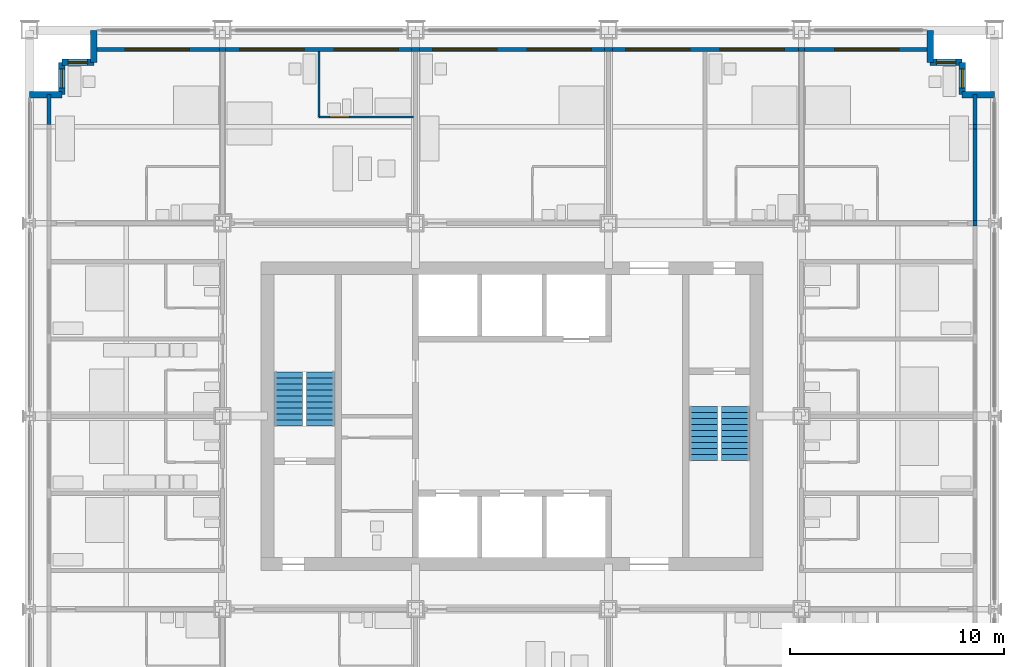
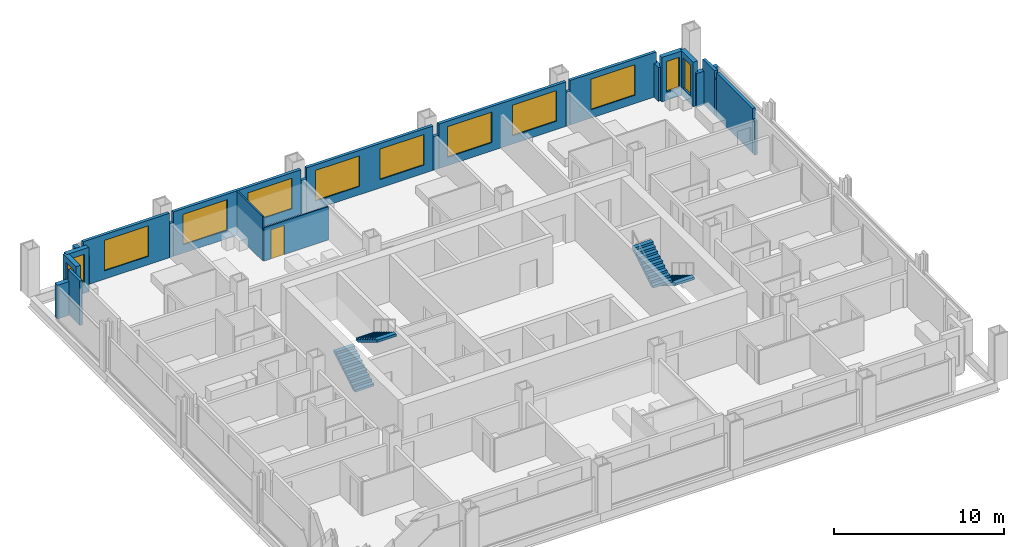
# One storey, part 13 of 16: 24 walls, 12 windows, 4 stair flights, 1 door, 13 openings, 2 elements without a shape of their own.
"""IFC4 building model written with IfcOpenShell, lengths in metres."""

from ifc_helpers import new_model, si_unit, direction, frame, frame_2d, origin, place, context, subcontext, project, spatial, polyline, rectangle, outline, extrude, material, layer, layer_set, type_object, element, fill, aggregate, save


model = new_model("IFC4")

# Units and contexts
model_context = context("Model", 3, precision=1e-05, world=origin(), true_north=direction((0.0, 1.0)))
body_context = subcontext(model_context, "Body", "Model", "MODEL_VIEW")
ifc_project = project(units=[si_unit("LENGTHUNIT", "METRE"), si_unit("AREAUNIT", "SQUARE_METRE"), si_unit("VOLUMEUNIT", "CUBIC_METRE"), si_unit("PLANEANGLEUNIT", "RADIAN"), si_unit("MASSUNIT", "GRAM", prefix="KILO")], contexts=[model_context])

# Site, building, storey
site_placement = place(None, origin())
site = spatial("IfcSite", under=ifc_project, at=site_placement, CompositionType="ELEMENT")
building_placement = place(site_placement, origin())
building = spatial("IfcBuilding", under=site, at=building_placement, Name="Loomwork Tower", CompositionType="ELEMENT")
storey_placement = place(building_placement, frame((0.0, 0.0, 111.199951171875)))
storey = spatial("IfcBuildingStorey", under=building, at=storey_placement, Name="L29", CompositionType="ELEMENT", Elevation=111.199951171875)

# Wall, opening, door
ifc_material_1 = material(Name="Cement board on steel studs", Category="steel")
ifc_layer_1 = layer(ifc_material_1, 0.10009765625)
ifc_layer_set_1 = layer_set([ifc_layer_1], Name="En-suite partition 100")
wall_type_1 = type_object("IfcWallType", Name="En-suite partition 100", PredefinedType="PARTITIONING", material=ifc_layer_set_1)
wall_1_placement = place(storey_placement, frame((13.5, 31.949951171875, 0.0), z_axis=(0.0, 0.0, 1.0), x_axis=(1.0, 0.0, 0.0)))
wall_1 = element("IfcWall", 1, at=wall_1_placement, inside=storey, type_object=wall_type_1, Name="Spa bathroom wall L29 room 7", PredefinedType="PARTITIONING", context=body_context, shape_type="SweptSolid", body=[
    extrude(rectangle(XDim=4.39990234375, YDim=0.10009765625, at=frame_2d((2.199951171875, 0.0))), origin(), (0.0, 0.0, 1.0), 2.404052734375),
])
opening_1_placement = place(wall_1_placement, frame((0.5, 0.0, 0.0)))
opening_1 = element("IfcOpeningElement", 2, at=opening_1_placement, cuts=wall_1, Name="Opening D2", PredefinedType="OPENING", context=body_context, shape_type="SweptSolid", body=[
    extrude(rectangle(XDim=0.89990234375, YDim=2.10009765625, at=frame_2d((0.449951171875, 1.050048828125))), frame((0.0, 0.06005859375, 0.0), z_axis=(0.0, -1.0, 0.0), x_axis=(1.0, 0.0, 0.0)), (0.0, 0.0, 1.0), 0.1201171875),
])
ifc_material_2 = material(Name="Hollow metal door and frame")
door_type = type_object("IfcDoorType", Name="En-suite door 900", OperationType="SINGLE_SWING_LEFT", PredefinedType="DOOR", material=ifc_material_2)
door_placement = place(opening_1_placement, origin())
door = element("IfcDoor", 3, at=door_placement, inside=storey, type_object=door_type, Name="Spa bathroom door room 7", OperationType="SINGLE_SWING_LEFT", OverallHeight=2.10009765625, OverallWidth=0.89990234375, PredefinedType="DOOR", context=body_context, shape_type="SweptSolid", body=[
    extrude(rectangle(XDim=0.89990234375, YDim=2.10009765625, at=frame_2d((0.449951171875, 1.050048828125))), frame((0.0, 0.02490234375, 0.0), z_axis=(0.0, -1.0, 0.0), x_axis=(1.0, 0.0, 0.0)), (0.0, 0.0, 1.0), 0.050048828125),
])
fill(opening_1, door)

# Wall
wall_2_placement = place(storey_placement, frame((13.5, 31.949951171875, 0.0), z_axis=(0.0, 0.0, 1.0), x_axis=(0.0, 1.0, 0.0)))
element("IfcWall", 4, at=wall_2_placement, inside=storey, type_object=wall_type_1, Name="Spa bathroom side wall L29 room 7", PredefinedType="PARTITIONING", context=body_context, shape_type="SweptSolid", body=[
    extrude(rectangle(XDim=3.050048828125, YDim=0.10009765625, at=frame_2d((1.52490234375, 0.0))), origin(), (0.0, 0.0, 1.0), 3.199951171875),
])

# Wall, opening, window
ifc_material_3 = material(Name="Insulated steel stud wall with gypsum lining", Category="steel")
ifc_layer_2 = layer(ifc_material_3, 0.199951171875)
ifc_layer_set_2 = layer_set([ifc_layer_2], Name="Inner skin wall 200")
wall_type_2 = type_object("IfcWallType", Name="Inner skin wall 200", PredefinedType="SOLIDWALL", material=ifc_layer_set_2)
wall_3_placement = place(storey_placement, frame((3.0, 35.10009765625, 0.0), z_axis=(0.0, 0.0, 1.0), x_axis=(1.0, 0.0, 0.0)))
wall_3 = element("IfcWall", 5, at=wall_3_placement, inside=storey, type_object=wall_type_2, Name="Inner skin wall N", PredefinedType="SOLIDWALL", context=body_context, shape_type="SweptSolid", body=[
    extrude(rectangle(XDim=5.86474609375, YDim=0.199951171875, at=frame_2d((2.932373046875, 0.0))), origin(), (0.0, 0.0, 1.0), 3.199951171875),
])
opening_2_placement = place(wall_3_placement, frame((1.449951171875, 0.0, 0.60009765625)))
opening_2 = element("IfcOpeningElement", 6, at=opening_2_placement, cuts=wall_3, Name="Opening CH1", PredefinedType="OPENING", context=body_context, shape_type="SweptSolid", body=[
    extrude(rectangle(XDim=3.0, YDim=2.199951171875, at=frame_2d((1.5, 1.10009765625))), frame((0.0, 0.10986328125, 0.0), z_axis=(0.0, -1.0, 0.0), x_axis=(1.0, 0.0, 0.0)), (0.0, 0.0, 1.0), 0.219970703125),
])
ifc_material_4 = material(Name="Aluminium frame with clear insulated glass", Category="aluminium")
window_type_1 = type_object("IfcWindowType", Name="Chicago window 3000", PartitioningType="TRIPLE_PANEL_VERTICAL", PredefinedType="WINDOW", material=ifc_material_4)
window_1_placement = place(opening_2_placement, origin())
window_1 = element("IfcWindow", 7, at=window_1_placement, inside=storey, type_object=window_type_1, Name="Chicago window L29 bay 6", OverallHeight=2.199951171875, OverallWidth=3.0, PartitioningType="TRIPLE_PANEL_VERTICAL", PredefinedType="WINDOW", context=body_context, shape_type="SweptSolid", body=[
    extrude(rectangle(XDim=3.0, YDim=2.199951171875, at=frame_2d((1.5, 1.10009765625))), frame((0.0, 0.030029296875, 0.0), z_axis=(0.0, -1.0, 0.0), x_axis=(1.0, 0.0, 0.0)), (0.0, 0.0, 1.0), 0.06005859375),
])
fill(opening_2, window_1)

# Walls
wall_4_placement = place(storey_placement, frame((0.89990234375, 31.607421875, 0.0), z_axis=(0.0, 0.0, 1.0), x_axis=(0.0, 1.0, 0.0)))
element("IfcWall", 8, at=wall_4_placement, inside=storey, type_object=wall_type_2, Name="Inner skin wall W bay 11", PredefinedType="SOLIDWALL", context=body_context, shape_type="SweptSolid", body=[
    extrude(rectangle(XDim=1.392578125, YDim=0.199951171875, at=frame_2d((0.6962890625, 0.0))), origin(), (0.0, 0.0, 1.0), 3.199951171875),
])
wall_5_placement = place(storey_placement, frame((8.86474609375, 35.10009765625, 0.0), z_axis=(0.0, 0.0, 1.0), x_axis=(1.0, 0.0, 0.0)))
element("IfcWall", 9, at=wall_5_placement, inside=storey, type_object=wall_type_2, Name="Inner skin wall N bay 2", PredefinedType="SOLIDWALL", context=body_context, shape_type="SweptSolid", body=[
    extrude(rectangle(XDim=0.2705078125, YDim=0.199951171875, at=frame_2d((0.13525390625, 0.0))), origin(), (0.0, 0.0, 1.0), 2.43798828125),
])

# Wall, openings, windows
wall_6_placement = place(storey_placement, frame((9.13525390625, 35.10009765625, 0.0), z_axis=(0.0, 0.0, 1.0), x_axis=(1.0, 0.0, 0.0)))
wall_6 = element("IfcWall", 10, at=wall_6_placement, inside=storey, type_object=wall_type_2, Name="Inner skin wall N bay 3", PredefinedType="SOLIDWALL", context=body_context, shape_type="SweptSolid", body=[
    extrude(rectangle(XDim=8.6708984375, YDim=0.199951171875, at=frame_2d((4.33544921875, 0.0))), origin(), (0.0, 0.0, 1.0), 3.199951171875),
])
opening_3_placement = place(wall_6_placement, frame((0.664794921875, 0.0, 0.60009765625)))
opening_3 = element("IfcOpeningElement", 11, at=opening_3_placement, cuts=wall_6, Name="Opening CH1", PredefinedType="OPENING", context=body_context, shape_type="SweptSolid", body=[
    extrude(rectangle(XDim=3.0, YDim=2.199951171875, at=frame_2d((1.5, 1.10009765625))), frame((0.0, 0.10986328125, 0.0), z_axis=(0.0, -1.0, 0.0), x_axis=(1.0, 0.0, 0.0)), (0.0, 0.0, 1.0), 0.219970703125),
])
opening_4_placement = place(wall_6_placement, frame((5.064697265625, 0.0, 0.60009765625)))
opening_4 = element("IfcOpeningElement", 12, at=opening_4_placement, cuts=wall_6, Name="Opening CH1", PredefinedType="OPENING", context=body_context, shape_type="SweptSolid", body=[
    extrude(rectangle(XDim=3.0, YDim=2.199951171875, at=frame_2d((1.5, 1.10009765625))), frame((0.0, 0.10986328125, 0.0), z_axis=(0.0, -1.0, 0.0), x_axis=(1.0, 0.0, 0.0)), (0.0, 0.0, 1.0), 0.219970703125),
])
window_2_placement = place(opening_3_placement, origin())
window_2 = element("IfcWindow", 13, at=window_2_placement, inside=storey, type_object=window_type_1, Name="Chicago window L29 bay 7", OverallHeight=2.199951171875, OverallWidth=3.0, PartitioningType="TRIPLE_PANEL_VERTICAL", PredefinedType="WINDOW", context=body_context, shape_type="SweptSolid", body=[
    extrude(rectangle(XDim=3.0, YDim=2.199951171875, at=frame_2d((1.5, 1.10009765625))), frame((0.0, 0.030029296875, 0.0), z_axis=(0.0, -1.0, 0.0), x_axis=(1.0, 0.0, 0.0)), (0.0, 0.0, 1.0), 0.06005859375),
])
fill(opening_3, window_2)
window_3_placement = place(opening_4_placement, origin())
window_3 = element("IfcWindow", 14, at=window_3_placement, inside=storey, type_object=window_type_1, Name="Chicago window L29 bay 7", OverallHeight=2.199951171875, OverallWidth=3.0, PartitioningType="TRIPLE_PANEL_VERTICAL", PredefinedType="WINDOW", context=body_context, shape_type="SweptSolid", body=[
    extrude(rectangle(XDim=3.0, YDim=2.199951171875, at=frame_2d((1.5, 1.10009765625))), frame((0.0, 0.030029296875, 0.0), z_axis=(0.0, -1.0, 0.0), x_axis=(1.0, 0.0, 0.0)), (0.0, 0.0, 1.0), 0.06005859375),
])
fill(opening_4, window_3)

# Wall
wall_7_placement = place(storey_placement, frame((17.80615234375, 35.10009765625, 0.0), z_axis=(0.0, 0.0, 1.0), x_axis=(1.0, 0.0, 0.0)))
element("IfcWall", 15, at=wall_7_placement, inside=storey, type_object=wall_type_2, Name="Inner skin wall N bay 4", PredefinedType="SOLIDWALL", context=body_context, shape_type="SweptSolid", body=[
    extrude(rectangle(XDim=0.3876953125, YDim=0.199951171875, at=frame_2d((0.19384765625, 0.0))), origin(), (0.0, 0.0, 1.0), 2.404052734375),
])

# Wall, openings, windows
wall_8_placement = place(storey_placement, frame((18.19384765625, 35.10009765625, 0.0), z_axis=(0.0, 0.0, 1.0), x_axis=(1.0, 0.0, 0.0)))
wall_8 = element("IfcWall", 16, at=wall_8_placement, inside=storey, type_object=wall_type_2, Name="Inner skin wall N bay 5", PredefinedType="SOLIDWALL", context=body_context, shape_type="SweptSolid", body=[
    extrude(rectangle(XDim=8.6123046875, YDim=0.199951171875, at=frame_2d((4.30615234375, 0.0))), origin(), (0.0, 0.0, 1.0), 3.199951171875),
])
opening_5_placement = place(wall_8_placement, frame((0.606201171875, 0.0, 0.60009765625)))
opening_5 = element("IfcOpeningElement", 17, at=opening_5_placement, cuts=wall_8, Name="Opening CH1", PredefinedType="OPENING", context=body_context, shape_type="SweptSolid", body=[
    extrude(rectangle(XDim=3.0, YDim=2.199951171875, at=frame_2d((1.5, 1.10009765625))), frame((0.0, 0.10986328125, 0.0), z_axis=(0.0, -1.0, 0.0), x_axis=(1.0, 0.0, 0.0)), (0.0, 0.0, 1.0), 0.219970703125),
])
opening_6_placement = place(wall_8_placement, frame((5.006103515625, 0.0, 0.60009765625)))
opening_6 = element("IfcOpeningElement", 18, at=opening_6_placement, cuts=wall_8, Name="Opening CH1", PredefinedType="OPENING", context=body_context, shape_type="SweptSolid", body=[
    extrude(rectangle(XDim=3.0, YDim=2.199951171875, at=frame_2d((1.5, 1.10009765625))), frame((0.0, 0.10986328125, 0.0), z_axis=(0.0, -1.0, 0.0), x_axis=(1.0, 0.0, 0.0)), (0.0, 0.0, 1.0), 0.219970703125),
])
window_4_placement = place(opening_5_placement, origin())
window_4 = element("IfcWindow", 19, at=window_4_placement, inside=storey, type_object=window_type_1, Name="Chicago window L29 bay 8", OverallHeight=2.199951171875, OverallWidth=3.0, PartitioningType="TRIPLE_PANEL_VERTICAL", PredefinedType="WINDOW", context=body_context, shape_type="SweptSolid", body=[
    extrude(rectangle(XDim=3.0, YDim=2.199951171875, at=frame_2d((1.5, 1.10009765625))), frame((0.0, 0.030029296875, 0.0), z_axis=(0.0, -1.0, 0.0), x_axis=(1.0, 0.0, 0.0)), (0.0, 0.0, 1.0), 0.06005859375),
])
fill(opening_5, window_4)
window_5_placement = place(opening_6_placement, origin())
window_5 = element("IfcWindow", 20, at=window_5_placement, inside=storey, type_object=window_type_1, Name="Chicago window L29 bay 8", OverallHeight=2.199951171875, OverallWidth=3.0, PartitioningType="TRIPLE_PANEL_VERTICAL", PredefinedType="WINDOW", context=body_context, shape_type="SweptSolid", body=[
    extrude(rectangle(XDim=3.0, YDim=2.199951171875, at=frame_2d((1.5, 1.10009765625))), frame((0.0, 0.030029296875, 0.0), z_axis=(0.0, -1.0, 0.0), x_axis=(1.0, 0.0, 0.0)), (0.0, 0.0, 1.0), 0.06005859375),
])
fill(opening_6, window_5)

# Wall
wall_9_placement = place(storey_placement, frame((26.80615234375, 35.10009765625, 0.0), z_axis=(0.0, 0.0, 1.0), x_axis=(1.0, 0.0, 0.0)))
element("IfcWall", 21, at=wall_9_placement, inside=storey, type_object=wall_type_2, Name="Inner skin wall N bay 6", PredefinedType="SOLIDWALL", context=body_context, shape_type="SweptSolid", body=[
    extrude(rectangle(XDim=0.3876953125, YDim=0.199951171875, at=frame_2d((0.19384765625, 0.0))), origin(), (0.0, 0.0, 1.0), 2.404052734375),
])

# Wall, openings, windows
wall_10_placement = place(storey_placement, frame((27.19384765625, 35.10009765625, 0.0), z_axis=(0.0, 0.0, 1.0), x_axis=(1.0, 0.0, 0.0)))
wall_10 = element("IfcWall", 22, at=wall_10_placement, inside=storey, type_object=wall_type_2, Name="Inner skin wall N bay 7", PredefinedType="SOLIDWALL", context=body_context, shape_type="SweptSolid", body=[
    extrude(rectangle(XDim=8.670654296875, YDim=0.199951171875, at=frame_2d((4.33544921875, 0.0))), origin(), (0.0, 0.0, 1.0), 3.199951171875),
])
opening_7_placement = place(wall_10_placement, frame((0.606201171875, 0.0, 0.60009765625)))
opening_7 = element("IfcOpeningElement", 23, at=opening_7_placement, cuts=wall_10, Name="Opening CH1", PredefinedType="OPENING", context=body_context, shape_type="SweptSolid", body=[
    extrude(rectangle(XDim=3.0, YDim=2.199951171875, at=frame_2d((1.5, 1.10009765625))), frame((0.0, 0.10986328125, 0.0), z_axis=(0.0, -1.0, 0.0), x_axis=(1.0, 0.0, 0.0)), (0.0, 0.0, 1.0), 0.219970703125),
])
opening_8_placement = place(wall_10_placement, frame((5.006103515625, 0.0, 0.60009765625)))
opening_8 = element("IfcOpeningElement", 24, at=opening_8_placement, cuts=wall_10, Name="Opening CH1", PredefinedType="OPENING", context=body_context, shape_type="SweptSolid", body=[
    extrude(rectangle(XDim=3.0, YDim=2.199951171875, at=frame_2d((1.5, 1.10009765625))), frame((0.0, 0.10986328125, 0.0), z_axis=(0.0, -1.0, 0.0), x_axis=(1.0, 0.0, 0.0)), (0.0, 0.0, 1.0), 0.219970703125),
])
window_6_placement = place(opening_7_placement, origin())
window_6 = element("IfcWindow", 25, at=window_6_placement, inside=storey, type_object=window_type_1, Name="Chicago window L29 bay 9", OverallHeight=2.199951171875, OverallWidth=3.0, PartitioningType="TRIPLE_PANEL_VERTICAL", PredefinedType="WINDOW", context=body_context, shape_type="SweptSolid", body=[
    extrude(rectangle(XDim=3.0, YDim=2.199951171875, at=frame_2d((1.5, 1.10009765625))), frame((0.0, 0.030029296875, 0.0), z_axis=(0.0, -1.0, 0.0), x_axis=(1.0, 0.0, 0.0)), (0.0, 0.0, 1.0), 0.06005859375),
])
fill(opening_7, window_6)
window_7_placement = place(opening_8_placement, origin())
window_7 = element("IfcWindow", 26, at=window_7_placement, inside=storey, type_object=window_type_1, Name="Chicago window L29 bay 9", OverallHeight=2.199951171875, OverallWidth=3.0, PartitioningType="TRIPLE_PANEL_VERTICAL", PredefinedType="WINDOW", context=body_context, shape_type="SweptSolid", body=[
    extrude(rectangle(XDim=3.0, YDim=2.199951171875, at=frame_2d((1.5, 1.10009765625))), frame((0.0, 0.030029296875, 0.0), z_axis=(0.0, -1.0, 0.0), x_axis=(1.0, 0.0, 0.0)), (0.0, 0.0, 1.0), 0.06005859375),
])
fill(opening_8, window_7)

# Wall
wall_11_placement = place(storey_placement, frame((35.864501953125, 35.10009765625, 0.0), z_axis=(0.0, 0.0, 1.0), x_axis=(1.0, 0.0, 0.0)))
element("IfcWall", 27, at=wall_11_placement, inside=storey, type_object=wall_type_2, Name="Inner skin wall N bay 8", PredefinedType="SOLIDWALL", context=body_context, shape_type="SweptSolid", body=[
    extrude(rectangle(XDim=0.27099609375, YDim=0.199951171875, at=frame_2d((0.135498046875, 0.0))), origin(), (0.0, 0.0, 1.0), 2.43798828125),
])

# Wall, opening, window
wall_12_placement = place(storey_placement, frame((36.135498046875, 35.10009765625, 0.0), z_axis=(0.0, 0.0, 1.0), x_axis=(1.0, 0.0, 0.0)))
wall_12 = element("IfcWall", 28, at=wall_12_placement, inside=storey, type_object=wall_type_2, Name="Inner skin wall N bay 9", PredefinedType="SOLIDWALL", context=body_context, shape_type="SweptSolid", body=[
    extrude(rectangle(XDim=5.864501953125, YDim=0.199951171875, at=frame_2d((2.93212890625, 0.0))), origin(), (0.0, 0.0, 1.0), 3.199951171875),
])
opening_9_placement = place(wall_12_placement, frame((1.41455078125, 0.0, 0.60009765625)))
opening_9 = element("IfcOpeningElement", 29, at=opening_9_placement, cuts=wall_12, Name="Opening CH1", PredefinedType="OPENING", context=body_context, shape_type="SweptSolid", body=[
    extrude(rectangle(XDim=3.0, YDim=2.199951171875, at=frame_2d((1.5, 1.10009765625))), frame((0.0, 0.10986328125, 0.0), z_axis=(0.0, -1.0, 0.0), x_axis=(1.0, 0.0, 0.0)), (0.0, 0.0, 1.0), 0.219970703125),
])
window_8_placement = place(opening_9_placement, origin())
window_8 = element("IfcWindow", 30, at=window_8_placement, inside=storey, type_object=window_type_1, Name="Chicago window L29 bay 10", OverallHeight=2.199951171875, OverallWidth=3.0, PartitioningType="TRIPLE_PANEL_VERTICAL", PredefinedType="WINDOW", context=body_context, shape_type="SweptSolid", body=[
    extrude(rectangle(XDim=3.0, YDim=2.199951171875, at=frame_2d((1.5, 1.10009765625))), frame((0.0, 0.030029296875, 0.0), z_axis=(0.0, -1.0, 0.0), x_axis=(1.0, 0.0, 0.0)), (0.0, 0.0, 1.0), 0.06005859375),
])
fill(opening_9, window_8)

# Walls
wall_13_placement = place(storey_placement, frame((44.10009765625, 26.86474609375, 0.0), z_axis=(0.0, 0.0, 1.0), x_axis=(0.0, 1.0, 0.0)))
element("IfcWall", 31, at=wall_13_placement, inside=storey, type_object=wall_type_2, Name="Inner skin wall E bay 8", PredefinedType="SOLIDWALL", context=body_context, shape_type="SweptSolid", body=[
    extrude(rectangle(XDim=0.2705078125, YDim=0.199951171875, at=frame_2d((0.13525390625, 0.0))), origin(), (0.0, 0.0, 1.0), 2.43798828125),
])
wall_14_placement = place(storey_placement, frame((44.10009765625, 27.13525390625, 0.0), z_axis=(0.0, 0.0, 1.0), x_axis=(0.0, 1.0, 0.0)))
element("IfcWall", 32, at=wall_14_placement, inside=storey, type_object=wall_type_2, Name="Inner skin wall E bay 9", PredefinedType="SOLIDWALL", context=body_context, shape_type="SweptSolid", body=[
    extrude(rectangle(XDim=4.25732421875, YDim=0.199951171875, at=frame_2d((2.128662109375, 0.0))), origin(), (0.0, 0.0, 1.0), 3.199951171875),
])
wall_15_placement = place(storey_placement, frame((44.10009765625, 31.392578125, 0.0), z_axis=(0.0, 0.0, 1.0), x_axis=(0.0, 1.0, 0.0)))
element("IfcWall", 33, at=wall_15_placement, inside=storey, type_object=wall_type_2, Name="Inner skin wall E bay 10", PredefinedType="SOLIDWALL", context=body_context, shape_type="SweptSolid", body=[
    extrude(rectangle(XDim=0.21484375, YDim=0.199951171875, at=frame_2d((0.107421875, 0.0))), origin(), (0.0, 0.0, 1.0), 2.6611328125),
])
wall_16_placement = place(storey_placement, frame((44.10009765625, 31.607421875, 0.0), z_axis=(0.0, 0.0, 1.0), x_axis=(0.0, 1.0, 0.0)))
element("IfcWall", 34, at=wall_16_placement, inside=storey, type_object=wall_type_2, Name="Inner skin wall E bay 11", PredefinedType="SOLIDWALL", context=body_context, shape_type="SweptSolid", body=[
    extrude(rectangle(XDim=1.392578125, YDim=0.199951171875, at=frame_2d((0.6962890625, 0.0))), origin(), (0.0, 0.0, 1.0), 3.199951171875),
])
ifc_material_5 = material(Name="Limestone on concrete masonry", Category="masonry")
ifc_layer_3 = layer(ifc_material_5, 0.300048828125)
ifc_layer_set_3 = layer_set([ifc_layer_3], Name="Limestone corner wall 300")
wall_type_3 = type_object("IfcWallType", Name="Limestone corner wall 300", PredefinedType="SOLIDWALL", material=ifc_layer_set_3)
wall_17_placement = place(storey_placement, frame((45.0, 33.0, 0.0), z_axis=(0.0, 0.0, 1.0), x_axis=(-1.0, 0.0, 0.0)))
element("IfcWall", 35, at=wall_17_placement, inside=storey, type_object=wall_type_3, Name="Stone corner wall NE 1", PredefinedType="SOLIDWALL", context=body_context, shape_type="SweptSolid", body=[
    extrude(rectangle(XDim=1.5, YDim=0.300048828125, at=frame_2d((0.75, 0.0))), origin(), (0.0, 0.0, 1.0), 2.420166015625),
])

# Wall, opening, window
wall_18_placement = place(storey_placement, frame((43.5, 33.0, 0.0), z_axis=(0.0, 0.0, 1.0), x_axis=(0.0, 1.0, 0.0)))
wall_18 = element("IfcWall", 36, at=wall_18_placement, inside=storey, type_object=wall_type_3, Name="Stone corner wall NE 2", PredefinedType="SOLIDWALL", context=body_context, shape_type="SweptSolid", body=[
    extrude(rectangle(XDim=1.5, YDim=0.300048828125, at=frame_2d((0.75, 0.0))), origin(), (0.0, 0.0, 1.0), 3.199951171875),
])
opening_10_placement = place(wall_18_placement, frame((0.300048828125, 0.0, 0.60009765625)))
opening_10 = element("IfcOpeningElement", 37, at=opening_10_placement, cuts=wall_18, Name="Opening CH2", PredefinedType="OPENING", context=body_context, shape_type="SweptSolid", body=[
    extrude(rectangle(XDim=0.89990234375, YDim=2.199951171875, at=frame_2d((0.449951171875, 1.10009765625))), frame((0.0, 0.159912109375, 0.0), z_axis=(0.0, -1.0, 0.0), x_axis=(1.0, 0.0, 0.0)), (0.0, 0.0, 1.0), 0.320068359375),
])
ifc_material_6 = material(Name="Aluminium frame with clear insulated glass", Category="aluminium")
window_type_2 = type_object("IfcWindowType", Name="Corner window 900", PartitioningType="SINGLE_PANEL", PredefinedType="WINDOW", material=ifc_material_6)
window_9_placement = place(opening_10_placement, origin())
window_9 = element("IfcWindow", 38, at=window_9_placement, inside=storey, type_object=window_type_2, Name="Corner window NE", OverallHeight=2.199951171875, OverallWidth=0.89990234375, PartitioningType="SINGLE_PANEL", PredefinedType="WINDOW", context=body_context, shape_type="SweptSolid", body=[
    extrude(rectangle(XDim=0.89990234375, YDim=2.199951171875, at=frame_2d((0.449951171875, 1.10009765625))), frame((0.0, 0.030029296875, 0.0), z_axis=(0.0, -1.0, 0.0), x_axis=(1.0, 0.0, 0.0)), (0.0, 0.0, 1.0), 0.06005859375),
])
fill(opening_10, window_9)

wall_19_placement = place(storey_placement, frame((43.5, 34.5, 0.0), z_axis=(0.0, 0.0, 1.0), x_axis=(-1.0, 0.0, 0.0)))
wall_19 = element("IfcWall", 39, at=wall_19_placement, inside=storey, type_object=wall_type_3, Name="Stone corner wall NE 3", PredefinedType="SOLIDWALL", context=body_context, shape_type="SweptSolid", body=[
    extrude(rectangle(XDim=1.5, YDim=0.300048828125, at=frame_2d((0.75, 0.0))), origin(), (0.0, 0.0, 1.0), 3.199951171875),
])
opening_11_placement = place(wall_19_placement, frame((0.300048828125, 0.0, 0.60009765625)))
opening_11 = element("IfcOpeningElement", 40, at=opening_11_placement, cuts=wall_19, Name="Opening CH2", PredefinedType="OPENING", context=body_context, shape_type="SweptSolid", body=[
    extrude(rectangle(XDim=0.89990234375, YDim=2.199951171875, at=frame_2d((0.449951171875, 1.10009765625))), frame((0.0, 0.159912109375, 0.0), z_axis=(0.0, -1.0, 0.0), x_axis=(1.0, 0.0, 0.0)), (0.0, 0.0, 1.0), 0.320068359375),
])
window_10_placement = place(opening_11_placement, origin())
window_10 = element("IfcWindow", 41, at=window_10_placement, inside=storey, type_object=window_type_2, Name="Corner window NE", OverallHeight=2.199951171875, OverallWidth=0.89990234375, PartitioningType="SINGLE_PANEL", PredefinedType="WINDOW", context=body_context, shape_type="SweptSolid", body=[
    extrude(rectangle(XDim=0.89990234375, YDim=2.199951171875, at=frame_2d((0.449951171875, 1.10009765625))), frame((0.0, 0.030029296875, 0.0), z_axis=(0.0, -1.0, 0.0), x_axis=(1.0, 0.0, 0.0)), (0.0, 0.0, 1.0), 0.06005859375),
])
fill(opening_11, window_10)

# Walls
for number, where, z_axis, x_axis, name in (
    (42, (42.0, 34.5, 0.0), (0.0, 0.0, 1.0), (0.0, 1.0, 0.0), "Stone corner wall NE 4"),
    (43, (3.0, 36.0, 0.0), (0.0, 0.0, 1.0), (0.0, -1.0, 0.0), "Stone corner wall NW 1"),
):
    element("IfcWall", number, at=place(storey_placement, frame(where, z_axis=z_axis, x_axis=x_axis)), inside=storey, type_object=wall_type_3, Name=name, PredefinedType="SOLIDWALL", context=body_context, shape_type="SweptSolid", body=[
        extrude(rectangle(XDim=1.5, YDim=0.300048828125, at=frame_2d((0.75, 0.0))), origin(), (0.0, 0.0, 1.0), 2.420166015625),
    ])

# Wall, opening, window
wall_20_placement = place(storey_placement, frame((3.0, 34.5, 0.0), z_axis=(0.0, 0.0, 1.0), x_axis=(-1.0, 0.0, 0.0)))
wall_20 = element("IfcWall", 44, at=wall_20_placement, inside=storey, type_object=wall_type_3, Name="Stone corner wall NW 2", PredefinedType="SOLIDWALL", context=body_context, shape_type="SweptSolid", body=[
    extrude(rectangle(XDim=1.5, YDim=0.300048828125, at=frame_2d((0.75, 0.0))), origin(), (0.0, 0.0, 1.0), 3.199951171875),
])
opening_12_placement = place(wall_20_placement, frame((0.300048828125, 0.0, 0.60009765625)))
opening_12 = element("IfcOpeningElement", 45, at=opening_12_placement, cuts=wall_20, Name="Opening CH2", PredefinedType="OPENING", context=body_context, shape_type="SweptSolid", body=[
    extrude(rectangle(XDim=0.89990234375, YDim=2.199951171875, at=frame_2d((0.449951171875, 1.10009765625))), frame((0.0, 0.159912109375, 0.0), z_axis=(0.0, -1.0, 0.0), x_axis=(1.0, 0.0, 0.0)), (0.0, 0.0, 1.0), 0.320068359375),
])
window_11_placement = place(opening_12_placement, origin())
window_11 = element("IfcWindow", 46, at=window_11_placement, inside=storey, type_object=window_type_2, Name="Corner window NW", OverallHeight=2.199951171875, OverallWidth=0.89990234375, PartitioningType="SINGLE_PANEL", PredefinedType="WINDOW", context=body_context, shape_type="SweptSolid", body=[
    extrude(rectangle(XDim=0.89990234375, YDim=2.199951171875, at=frame_2d((0.449951171875, 1.10009765625))), frame((0.0, 0.030029296875, 0.0), z_axis=(0.0, -1.0, 0.0), x_axis=(1.0, 0.0, 0.0)), (0.0, 0.0, 1.0), 0.06005859375),
])
fill(opening_12, window_11)

wall_21_placement = place(storey_placement, frame((1.5, 34.5, 0.0), z_axis=(0.0, 0.0, 1.0), x_axis=(0.0, -1.0, 0.0)))
wall_21 = element("IfcWall", 47, at=wall_21_placement, inside=storey, type_object=wall_type_3, Name="Stone corner wall NW 3", PredefinedType="SOLIDWALL", context=body_context, shape_type="SweptSolid", body=[
    extrude(rectangle(XDim=1.5, YDim=0.300048828125, at=frame_2d((0.75, 0.0))), origin(), (0.0, 0.0, 1.0), 3.199951171875),
])
opening_13_placement = place(wall_21_placement, frame((0.300048828125, 0.0, 0.60009765625)))
opening_13 = element("IfcOpeningElement", 48, at=opening_13_placement, cuts=wall_21, Name="Opening CH2", PredefinedType="OPENING", context=body_context, shape_type="SweptSolid", body=[
    extrude(rectangle(XDim=0.89990234375, YDim=2.199951171875, at=frame_2d((0.449951171875, 1.10009765625))), frame((0.0, 0.159912109375, 0.0), z_axis=(0.0, -1.0, 0.0), x_axis=(1.0, 0.0, 0.0)), (0.0, 0.0, 1.0), 0.320068359375),
])
window_12_placement = place(opening_13_placement, origin())
window_12 = element("IfcWindow", 49, at=window_12_placement, inside=storey, type_object=window_type_2, Name="Corner window NW", OverallHeight=2.199951171875, OverallWidth=0.89990234375, PartitioningType="SINGLE_PANEL", PredefinedType="WINDOW", context=body_context, shape_type="SweptSolid", body=[
    extrude(rectangle(XDim=0.89990234375, YDim=2.199951171875, at=frame_2d((0.449951171875, 1.10009765625))), frame((0.0, 0.030029296875, 0.0), z_axis=(0.0, -1.0, 0.0), x_axis=(1.0, 0.0, 0.0)), (0.0, 0.0, 1.0), 0.06005859375),
])
fill(opening_13, window_12)

# Wall
wall_22_placement = place(storey_placement, frame((1.5, 33.0, 0.0), z_axis=(0.0, 0.0, 1.0), x_axis=(-1.0, 0.0, 0.0)))
element("IfcWall", 50, at=wall_22_placement, inside=storey, type_object=wall_type_3, Name="Stone corner wall NW 4", PredefinedType="SOLIDWALL", context=body_context, shape_type="SweptSolid", body=[
    extrude(rectangle(XDim=1.5, YDim=0.300048828125, at=frame_2d((0.75, 0.0))), origin(), (0.0, 0.0, 1.0), 2.420166015625),
])

# Stair, stair flights
ifc_material_7 = material(Name="Concrete 5000 psi (34 MPa) precast stair", Category="concrete")
stair_type_1 = type_object("IfcStairType", Name="Stair ST-A 20 risers 2850 wide", PredefinedType="HALF_TURN_STAIR", material=ifc_material_7)
stair_1_placement = place(storey_placement, origin())
stair_1 = element("IfcStair", 51, at=stair_1_placement, inside=storey, type_object=stair_type_1, Name="Stair A L29", PredefinedType="HALF_TURN_STAIR")
ifc_material_8 = material(Name="Concrete 5000 psi (34 MPa) precast stair", Category="concrete")
stair_flight_type_1 = type_object("IfcStairFlightType", Name="Stair flight ST-A 10 risers 1300 wide", PredefinedType="STRAIGHT", material=ifc_material_8)
stair_flight_1_placement = place(storey_placement, frame((12.074951171875, 17.550048828125, 0.0), z_axis=(0.0, 0.0, 1.0), x_axis=(0.0, 1.0, 0.0)))
stair_flight_1 = element("IfcStairFlight", 52, at=stair_flight_1_placement, type_object=stair_flight_type_1, Name="ST-A flight 1", NumberOfRisers=10, NumberOfTreads=9, PredefinedType="STRAIGHT", RiserHeight=0.17, TreadLength=0.28, context=body_context, shape_type="SweptSolid", body=[
    extrude(outline(polyline([(0.0, 0.0), (0.0, 0.169921875), (0.280029296875, 0.169921875), (0.280029296875, 0.340087890625), (0.56005859375, 0.340087890625), (0.56005859375, 0.510009765625), (0.840087890625, 0.510009765625), (0.840087890625, 0.679931640625), (1.1201171875, 0.679931640625), (1.1201171875, 0.85009765625), (1.39990234375, 0.85009765625), (1.39990234375, 1.02001953125), (1.679931640625, 1.02001953125), (1.679931640625, 1.18994140625), (1.9599609375, 1.18994140625), (1.9599609375, 1.360107421875), (2.239990234375, 1.360107421875), (2.239990234375, 1.530029296875), (2.52001953125, 1.530029296875), (2.52001953125, 1.699951171875), (2.52001953125, 1.354736328125), (0.288818359375, 0.0), (0.0, 0.0)])), frame((0.0, 0.64990234375, 0.0), z_axis=(0.0, -1.0, 0.0), x_axis=(1.0, 0.0, 0.0)), (0.0, 0.0, 1.0), 1.300048828125),
])
stair_flight_2_placement = place(storey_placement, frame((13.574951171875, 20.070068359375, 1.699951171875), z_axis=(0.0, 0.0, 1.0), x_axis=(0.0, -1.0, 0.0)))
stair_flight_2 = element("IfcStairFlight", 53, at=stair_flight_2_placement, type_object=stair_flight_type_1, Name="ST-A flight 2", NumberOfRisers=10, NumberOfTreads=9, PredefinedType="STRAIGHT", RiserHeight=0.17, TreadLength=0.28, context=body_context, shape_type="SweptSolid", body=[
    extrude(outline(polyline([(0.0, 0.0), (0.0, 0.169921875), (0.280029296875, 0.169921875), (0.280029296875, 0.340087890625), (0.56005859375, 0.340087890625), (0.56005859375, 0.510009765625), (0.840087890625, 0.510009765625), (0.840087890625, 0.679931640625), (1.1201171875, 0.679931640625), (1.1201171875, 0.85009765625), (1.39990234375, 0.85009765625), (1.39990234375, 1.02001953125), (1.679931640625, 1.02001953125), (1.679931640625, 1.18994140625), (1.9599609375, 1.18994140625), (1.9599609375, 1.360107421875), (2.239990234375, 1.360107421875), (2.239990234375, 1.530029296875), (2.52001953125, 1.530029296875), (2.52001953125, 1.699951171875), (2.52001953125, 1.354736328125), (0.288818359375, 0.0), (0.0, 0.0)])), frame((0.0, 0.64990234375, 0.0), z_axis=(0.0, -1.0, 0.0), x_axis=(1.0, 0.0, 0.0)), (0.0, 0.0, 1.0), 1.300048828125),
])
aggregate(stair_1, [stair_flight_1, stair_flight_2])

ifc_material_9 = material(Name="Concrete 5000 psi (34 MPa) precast stair", Category="concrete")
stair_type_2 = type_object("IfcStairType", Name="Stair ST-B 20 risers 2850 wide", PredefinedType="HALF_TURN_STAIR", material=ifc_material_9)
stair_2_placement = place(storey_placement, origin())
stair_2 = element("IfcStair", 54, at=stair_2_placement, inside=storey, type_object=stair_type_2, Name="Stair B L29", PredefinedType="HALF_TURN_STAIR")
ifc_material_10 = material(Name="Concrete 5000 psi (34 MPa) precast stair", Category="concrete")
stair_flight_type_2 = type_object("IfcStairFlightType", Name="Stair flight ST-B 10 risers 1300 wide", PredefinedType="STRAIGHT", material=ifc_material_10)
stair_flight_3_placement = place(storey_placement, frame((32.925048828125, 18.449951171875, 0.0), z_axis=(0.0, 0.0, 1.0), x_axis=(0.0, -1.0, 0.0)))
stair_flight_3 = element("IfcStairFlight", 55, at=stair_flight_3_placement, type_object=stair_flight_type_2, Name="ST-B flight 1", NumberOfRisers=10, NumberOfTreads=9, PredefinedType="STRAIGHT", RiserHeight=0.17, TreadLength=0.28, context=body_context, shape_type="SweptSolid", body=[
    extrude(outline(polyline([(0.0, 0.0), (0.0, 0.169921875), (0.280029296875, 0.169921875), (0.280029296875, 0.340087890625), (0.56005859375, 0.340087890625), (0.56005859375, 0.510009765625), (0.840087890625, 0.510009765625), (0.840087890625, 0.679931640625), (1.1201171875, 0.679931640625), (1.1201171875, 0.85009765625), (1.39990234375, 0.85009765625), (1.39990234375, 1.02001953125), (1.679931640625, 1.02001953125), (1.679931640625, 1.18994140625), (1.9599609375, 1.18994140625), (1.9599609375, 1.360107421875), (2.239990234375, 1.360107421875), (2.239990234375, 1.530029296875), (2.52001953125, 1.530029296875), (2.52001953125, 1.699951171875), (2.52001953125, 1.354736328125), (0.288818359375, 0.0), (0.0, 0.0)])), frame((0.0, 0.64990234375, 0.0), z_axis=(0.0, -1.0, 0.0), x_axis=(1.0, 0.0, 0.0)), (0.0, 0.0, 1.0), 1.300048828125),
])
stair_flight_4_placement = place(storey_placement, frame((31.425048828125, 15.929931640625, 1.699951171875), z_axis=(0.0, 0.0, 1.0), x_axis=(0.0, 1.0, 0.0)))
stair_flight_4 = element("IfcStairFlight", 56, at=stair_flight_4_placement, type_object=stair_flight_type_2, Name="ST-B flight 2", NumberOfRisers=10, NumberOfTreads=9, PredefinedType="STRAIGHT", RiserHeight=0.17, TreadLength=0.28, context=body_context, shape_type="SweptSolid", body=[
    extrude(outline(polyline([(0.0, 0.0), (0.0, 0.169921875), (0.280029296875, 0.169921875), (0.280029296875, 0.340087890625), (0.56005859375, 0.340087890625), (0.56005859375, 0.510009765625), (0.840087890625, 0.510009765625), (0.840087890625, 0.679931640625), (1.1201171875, 0.679931640625), (1.1201171875, 0.85009765625), (1.39990234375, 0.85009765625), (1.39990234375, 1.02001953125), (1.679931640625, 1.02001953125), (1.679931640625, 1.18994140625), (1.9599609375, 1.18994140625), (1.9599609375, 1.360107421875), (2.239990234375, 1.360107421875), (2.239990234375, 1.530029296875), (2.52001953125, 1.530029296875), (2.52001953125, 1.699951171875), (2.52001953125, 1.354736328125), (0.288818359375, 0.0), (0.0, 0.0)])), frame((0.0, 0.64990234375, 0.0), z_axis=(0.0, -1.0, 0.0), x_axis=(1.0, 0.0, 0.0)), (0.0, 0.0, 1.0), 1.300048828125),
])
aggregate(stair_2, [stair_flight_3, stair_flight_4])

save(model, "model.ifc")
